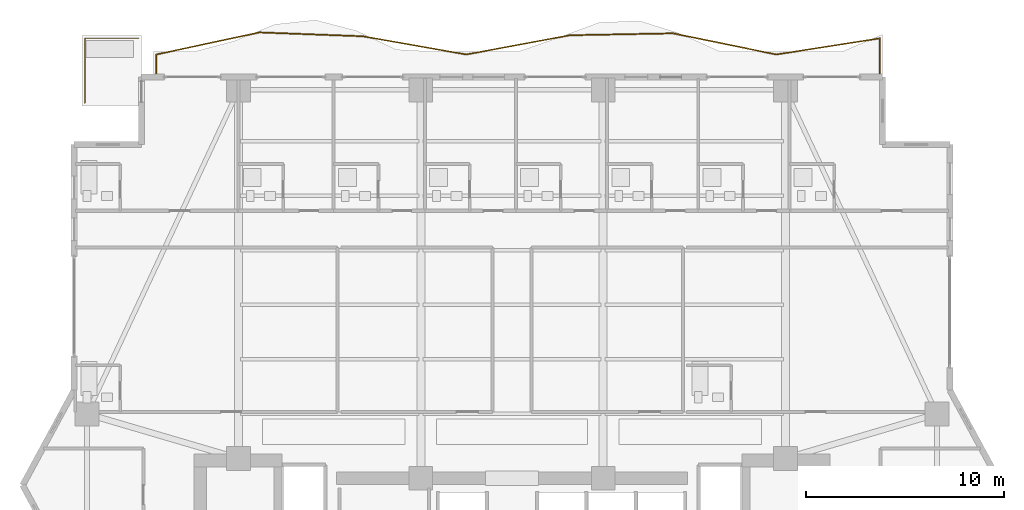
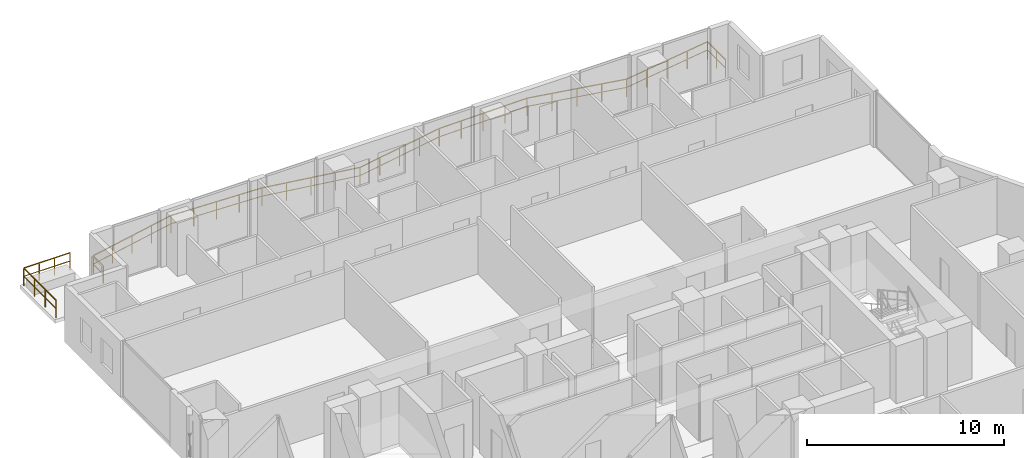
# One storey, part 32 of 33: 2 railings.
"""IFC4 building model written with IfcOpenShell, lengths in metres."""

from ifc_helpers import new_model, si_unit, direction, frame, origin, origin_2d, place, context, subcontext, project, spatial, rectangle, extrude, material, type_object, element, save


model = new_model("IFC4")

# Units and contexts
model_context = context("Model", 3, precision=1e-05, world=origin(), true_north=direction((0.0, 1.0)))
body_context = subcontext(model_context, "Body", "Model", "MODEL_VIEW")
ifc_project = project(units=[si_unit("LENGTHUNIT", "METRE"), si_unit("AREAUNIT", "SQUARE_METRE"), si_unit("VOLUMEUNIT", "CUBIC_METRE"), si_unit("PLANEANGLEUNIT", "RADIAN"), si_unit("MASSUNIT", "GRAM", prefix="KILO")], contexts=[model_context])

# Site, building, storey
site_placement = place(None, origin())
site = spatial("IfcSite", under=ifc_project, at=site_placement, CompositionType="ELEMENT")
building_placement = place(site_placement, origin())
building = spatial("IfcBuilding", under=site, at=building_placement, Name="Zuhayl Quay Hotel", CompositionType="ELEMENT")
storey_placement = place(building_placement, frame((0.0, 0.0, 229.89990234375)))
storey = spatial("IfcBuildingStorey", under=building, at=storey_placement, Name="L58", CompositionType="ELEMENT", Elevation=229.89990234375)

# Railings
ifc_material = material(Name="Anodised Aluminium and Laminated Glass", Category="aluminium")
railing_type = type_object("IfcRailingType", Name="RL_EXT_BAL_1100", PredefinedType="BALUSTRADE", material=ifc_material)
railing_1_placement = place(storey_placement, frame((-17.9599609375, 33.719970703125, 0.0)))
element("IfcRailing", 1, at=railing_1_placement, inside=storey, type_object=railing_type, Name="L58 Balcony and Terrace Guard GR_L58_BAL_N", PredefinedType="BALUSTRADE", context=body_context, shape_type="SweptSolid", body=[
    extrude(rectangle(XDim=0.048095703125, YDim=0.048095703125, at=origin_2d()), frame((0.0, 0.0, 1.09619140625), z_axis=(0.0, 1.0, 0.0), x_axis=(-1.0, 0.0, 0.0)), (0.0, 0.0, 1.0), 1.02001953125),
    extrude(rectangle(XDim=0.0361328125, YDim=0.0361328125, at=origin_2d()), frame((0.0, 0.0, 0.58251953125), z_axis=(0.0, 1.0, 0.0), x_axis=(-1.0, 0.0, 0.0)), (0.0, 0.0, 1.0), 1.02001953125),
    extrude(rectangle(XDim=0.048095703125, YDim=0.048095703125, at=origin_2d()), frame((0.0, 1.02001953125, 1.09619140625), z_axis=(0.977943503821, 0.208869584512, 0.0), x_axis=(-0.208869584512, 0.977943503821, 0.0)), (0.0, 0.0, 1.0), 5.334716796875),
    extrude(rectangle(XDim=0.0361328125, YDim=0.0361328125, at=origin_2d()), frame((0.0, 1.02001953125, 0.58251953125), z_axis=(0.977943503821, 0.208869584512, 0.0), x_axis=(-0.208869584512, 0.977943503821, 0.0)), (0.0, 0.0, 1.0), 5.334716796875),
    extrude(rectangle(XDim=0.048095703125, YDim=0.048095703125, at=origin_2d()), frame((5.217041015625, 2.13427734375, 1.09619140625), z_axis=(0.999303513284, -0.037316060066, 0.0), x_axis=(0.037316060066, 0.999303513284, 0.0)), (0.0, 0.0, 1.0), 5.220947265625),
    extrude(rectangle(XDim=0.0361328125, YDim=0.0361328125, at=origin_2d()), frame((5.217041015625, 2.13427734375, 0.58251953125), z_axis=(0.999303513284, -0.037316060066, 0.0), x_axis=(0.037316060066, 0.999303513284, 0.0)), (0.0, 0.0, 1.0), 5.220947265625),
    extrude(rectangle(XDim=0.048095703125, YDim=0.048095703125, at=origin_2d()), frame((10.434326171875, 1.939453125, 1.09619140625), z_axis=(0.984822969919, -0.17356185618, 0.0), x_axis=(0.17356185618, 0.984822969919, 0.0)), (0.0, 0.0, 1.0), 5.29736328125),
    extrude(rectangle(XDim=0.0361328125, YDim=0.0361328125, at=origin_2d()), frame((10.434326171875, 1.939453125, 0.58251953125), z_axis=(0.984822969919, -0.17356185618, 0.0), x_axis=(0.17356185618, 0.984822969919, 0.0)), (0.0, 0.0, 1.0), 5.29736328125),
    extrude(rectangle(XDim=0.048095703125, YDim=0.048095703125, at=origin_2d()), frame((15.6513671875, 1.02001953125, 1.09619140625), z_axis=(0.983145052788, 0.18282725502, 0.0), x_axis=(-0.18282725502, 0.983145052788, 0.0)), (0.0, 0.0, 1.0), 5.306640625),
    extrude(rectangle(XDim=0.0361328125, YDim=0.0361328125, at=origin_2d()), frame((15.6513671875, 1.02001953125, 0.58251953125), z_axis=(0.983145052788, 0.18282725502, 0.0), x_axis=(-0.18282725502, 0.983145052788, 0.0)), (0.0, 0.0, 1.0), 5.306640625),
    extrude(rectangle(XDim=0.048095703125, YDim=0.048095703125, at=origin_2d()), frame((20.86865234375, 1.990234375, 1.09619140625), z_axis=(0.999825725496, 0.018668653866, 0.0), x_axis=(-0.018668653866, 0.999825725496, 0.0)), (0.0, 0.0, 1.0), 5.218017578125),
    extrude(rectangle(XDim=0.0361328125, YDim=0.0361328125, at=origin_2d()), frame((20.86865234375, 1.990234375, 0.58251953125), z_axis=(0.999825725496, 0.018668653866, 0.0), x_axis=(-0.018668653866, 0.999825725496, 0.0)), (0.0, 0.0, 1.0), 5.218017578125),
    extrude(rectangle(XDim=0.048095703125, YDim=0.048095703125, at=origin_2d()), frame((26.085693359375, 2.087646484375, 1.09619140625), z_axis=(0.979698154789, -0.20047824197, 0.0), x_axis=(0.20047824197, 0.979698154789, 0.0)), (0.0, 0.0, 1.0), 5.325439453125),
    extrude(rectangle(XDim=0.0361328125, YDim=0.0361328125, at=origin_2d()), frame((26.085693359375, 2.087646484375, 0.58251953125), z_axis=(0.979698154789, -0.20047824197, 0.0), x_axis=(0.20047824197, 0.979698154789, 0.0)), (0.0, 0.0, 1.0), 5.325439453125),
    extrude(rectangle(XDim=0.048095703125, YDim=0.048095703125, at=origin_2d()), frame((31.302978515625, 1.02001953125, 1.09619140625), z_axis=(0.988018423971, 0.154335977314, 0.0), x_axis=(-0.154335977314, 0.988018423971, 0.0)), (0.0, 0.0, 1.0), 5.2802734375),
    extrude(rectangle(XDim=0.0361328125, YDim=0.0361328125, at=origin_2d()), frame((31.302978515625, 1.02001953125, 0.58251953125), z_axis=(0.988018423971, 0.154335977314, 0.0), x_axis=(-0.154335977314, 0.988018423971, 0.0)), (0.0, 0.0, 1.0), 5.2802734375),
    extrude(rectangle(XDim=0.048095703125, YDim=0.048095703125, at=origin_2d()), frame((36.52001953125, 1.8349609375, 1.09619140625), z_axis=(0.0, -1.0, 0.0), x_axis=(1.0, 0.0, 0.0)), (0.0, 0.0, 1.0), 1.8349609375),
    extrude(rectangle(XDim=0.0361328125, YDim=0.0361328125, at=origin_2d()), frame((36.52001953125, 1.8349609375, 0.58251953125), z_axis=(0.0, -1.0, 0.0), x_axis=(1.0, 0.0, 0.0)), (0.0, 0.0, 1.0), 1.8349609375),
    extrude(rectangle(XDim=0.0419921875, YDim=0.0419921875, at=origin_2d()), origin(), (0.0, 0.0, 1.0), 1.072021484375),
    extrude(rectangle(XDim=0.0419921875, YDim=0.0419921875, at=origin_2d()), frame((0.0, 1.02001953125, 0.0)), (0.0, 0.0, 1.0), 1.072021484375),
    extrude(rectangle(XDim=0.0419921875, YDim=0.0419921875, at=origin_2d()), frame((1.30419921875, 1.298583984375, 0.0)), (0.0, 0.0, 1.0), 1.072021484375),
    extrude(rectangle(XDim=0.0419921875, YDim=0.0419921875, at=origin_2d()), frame((2.6083984375, 1.5771484375, 0.0)), (0.0, 0.0, 1.0), 1.072021484375),
    extrude(rectangle(XDim=0.0419921875, YDim=0.0419921875, at=origin_2d()), frame((3.912841796875, 1.855712890625, 0.0)), (0.0, 0.0, 1.0), 1.072021484375),
    extrude(rectangle(XDim=0.0419921875, YDim=0.0419921875, at=origin_2d()), frame((5.217041015625, 2.13427734375, 0.0)), (0.0, 0.0, 1.0), 1.072021484375),
    extrude(rectangle(XDim=0.0419921875, YDim=0.0419921875, at=origin_2d()), frame((6.521484375, 2.08544921875, 0.0)), (0.0, 0.0, 1.0), 1.072021484375),
    extrude(rectangle(XDim=0.0419921875, YDim=0.0419921875, at=origin_2d()), frame((7.82568359375, 2.036865234375, 0.0)), (0.0, 0.0, 1.0), 1.072021484375),
    extrude(rectangle(XDim=0.0419921875, YDim=0.0419921875, at=origin_2d()), frame((9.1298828125, 1.98828125, 0.0)), (0.0, 0.0, 1.0), 1.072021484375),
    extrude(rectangle(XDim=0.0419921875, YDim=0.0419921875, at=origin_2d()), frame((10.434326171875, 1.939453125, 0.0)), (0.0, 0.0, 1.0), 1.072021484375),
    extrude(rectangle(XDim=0.0419921875, YDim=0.0419921875, at=origin_2d()), frame((11.738525390625, 1.70947265625, 0.0)), (0.0, 0.0, 1.0), 1.072021484375),
    extrude(rectangle(XDim=0.0419921875, YDim=0.0419921875, at=origin_2d()), frame((13.04296875, 1.479736328125, 0.0)), (0.0, 0.0, 1.0), 1.072021484375),
    extrude(rectangle(XDim=0.0419921875, YDim=0.0419921875, at=origin_2d()), frame((14.34716796875, 1.25, 0.0)), (0.0, 0.0, 1.0), 1.072021484375),
    extrude(rectangle(XDim=0.0419921875, YDim=0.0419921875, at=origin_2d()), frame((15.6513671875, 1.02001953125, 0.0)), (0.0, 0.0, 1.0), 1.072021484375),
    extrude(rectangle(XDim=0.0419921875, YDim=0.0419921875, at=origin_2d()), frame((16.95556640625, 1.2626953125, 0.0)), (0.0, 0.0, 1.0), 1.072021484375),
    extrude(rectangle(XDim=0.0419921875, YDim=0.0419921875, at=origin_2d()), frame((18.260009765625, 1.505126953125, 0.0)), (0.0, 0.0, 1.0), 1.072021484375),
    extrude(rectangle(XDim=0.0419921875, YDim=0.0419921875, at=origin_2d()), frame((19.564453125, 1.74755859375, 0.0)), (0.0, 0.0, 1.0), 1.072021484375),
    extrude(rectangle(XDim=0.0419921875, YDim=0.0419921875, at=origin_2d()), frame((20.86865234375, 1.990234375, 0.0)), (0.0, 0.0, 1.0), 1.072021484375),
    extrude(rectangle(XDim=0.0419921875, YDim=0.0419921875, at=origin_2d()), frame((22.1728515625, 2.0146484375, 0.0)), (0.0, 0.0, 1.0), 1.072021484375),
    extrude(rectangle(XDim=0.0419921875, YDim=0.0419921875, at=origin_2d()), frame((23.47705078125, 2.0390625, 0.0)), (0.0, 0.0, 1.0), 1.072021484375),
    extrude(rectangle(XDim=0.0419921875, YDim=0.0419921875, at=origin_2d()), frame((24.781494140625, 2.063232421875, 0.0)), (0.0, 0.0, 1.0), 1.072021484375),
    extrude(rectangle(XDim=0.0419921875, YDim=0.0419921875, at=origin_2d()), frame((26.085693359375, 2.087646484375, 0.0)), (0.0, 0.0, 1.0), 1.072021484375),
    extrude(rectangle(XDim=0.0419921875, YDim=0.0419921875, at=origin_2d()), frame((27.39013671875, 1.82080078125, 0.0)), (0.0, 0.0, 1.0), 1.072021484375),
    extrude(rectangle(XDim=0.0419921875, YDim=0.0419921875, at=origin_2d()), frame((28.6943359375, 1.5537109375, 0.0)), (0.0, 0.0, 1.0), 1.072021484375),
    extrude(rectangle(XDim=0.0419921875, YDim=0.0419921875, at=origin_2d()), frame((29.99853515625, 1.286865234375, 0.0)), (0.0, 0.0, 1.0), 1.072021484375),
    extrude(rectangle(XDim=0.0419921875, YDim=0.0419921875, at=origin_2d()), frame((31.302978515625, 1.02001953125, 0.0)), (0.0, 0.0, 1.0), 1.072021484375),
    extrude(rectangle(XDim=0.0419921875, YDim=0.0419921875, at=origin_2d()), frame((32.607177734375, 1.2236328125, 0.0)), (0.0, 0.0, 1.0), 1.072021484375),
    extrude(rectangle(XDim=0.0419921875, YDim=0.0419921875, at=origin_2d()), frame((33.91162109375, 1.427490234375, 0.0)), (0.0, 0.0, 1.0), 1.072021484375),
    extrude(rectangle(XDim=0.0419921875, YDim=0.0419921875, at=origin_2d()), frame((35.2158203125, 1.63134765625, 0.0)), (0.0, 0.0, 1.0), 1.072021484375),
    extrude(rectangle(XDim=0.0419921875, YDim=0.0419921875, at=origin_2d()), frame((36.52001953125, 1.8349609375, 0.0)), (0.0, 0.0, 1.0), 1.072021484375),
    extrude(rectangle(XDim=0.0419921875, YDim=0.0419921875, at=origin_2d()), frame((36.52001953125, 0.91748046875, 0.0)), (0.0, 0.0, 1.0), 1.072021484375),
    extrude(rectangle(XDim=0.0419921875, YDim=0.0419921875, at=origin_2d()), frame((36.52001953125, 0.0, 0.0)), (0.0, 0.0, 1.0), 1.072021484375),
])
railing_2_placement = place(storey_placement, frame((-18.840087890625, 35.56005859375, 0.0)))
element("IfcRailing", 2, at=railing_2_placement, inside=storey, type_object=railing_type, Name="L58 Balcony and Terrace Guard GR_L58_SPIRAL_NW", PredefinedType="BALUSTRADE", context=body_context, shape_type="SweptSolid", body=[
    extrude(rectangle(XDim=0.048095703125, YDim=0.048095703125, at=origin_2d()), frame((0.0, 0.0, 1.09619140625), z_axis=(-1.0, 0.0, 0.0), x_axis=(0.0, -1.0, 0.0)), (0.0, 0.0, 1.0), 2.719970703125),
    extrude(rectangle(XDim=0.0361328125, YDim=0.0361328125, at=origin_2d()), frame((0.0, 0.0, 0.58251953125), z_axis=(-1.0, 0.0, 0.0), x_axis=(0.0, -1.0, 0.0)), (0.0, 0.0, 1.0), 2.719970703125),
    extrude(rectangle(XDim=0.048095703125, YDim=0.048095703125, at=origin_2d()), frame((-2.719970703125, 0.0, 1.09619140625), z_axis=(0.0, -1.0, 0.0), x_axis=(1.0, 0.0, 0.0)), (0.0, 0.0, 1.0), 3.27001953125),
    extrude(rectangle(XDim=0.0361328125, YDim=0.0361328125, at=origin_2d()), frame((-2.719970703125, 0.0, 0.58251953125), z_axis=(0.0, -1.0, 0.0), x_axis=(1.0, 0.0, 0.0)), (0.0, 0.0, 1.0), 3.27001953125),
    extrude(rectangle(XDim=0.0419921875, YDim=0.0419921875, at=origin_2d()), origin(), (0.0, 0.0, 1.0), 1.072021484375),
    extrude(rectangle(XDim=0.0419921875, YDim=0.0419921875, at=origin_2d()), frame((-0.90673828125, 0.0, 0.0)), (0.0, 0.0, 1.0), 1.072021484375),
    extrude(rectangle(XDim=0.0419921875, YDim=0.0419921875, at=origin_2d()), frame((-1.813232421875, 0.0, 0.0)), (0.0, 0.0, 1.0), 1.072021484375),
    extrude(rectangle(XDim=0.0419921875, YDim=0.0419921875, at=origin_2d()), frame((-2.719970703125, 0.0, 0.0)), (0.0, 0.0, 1.0), 1.072021484375),
    extrude(rectangle(XDim=0.0419921875, YDim=0.0419921875, at=origin_2d()), frame((-2.719970703125, -1.090087890625, 0.0)), (0.0, 0.0, 1.0), 1.072021484375),
    extrude(rectangle(XDim=0.0419921875, YDim=0.0419921875, at=origin_2d()), frame((-2.719970703125, -2.179931640625, 0.0)), (0.0, 0.0, 1.0), 1.072021484375),
    extrude(rectangle(XDim=0.0419921875, YDim=0.0419921875, at=origin_2d()), frame((-2.719970703125, -3.27001953125, 0.0)), (0.0, 0.0, 1.0), 1.072021484375),
])

save(model, "model.ifc")
